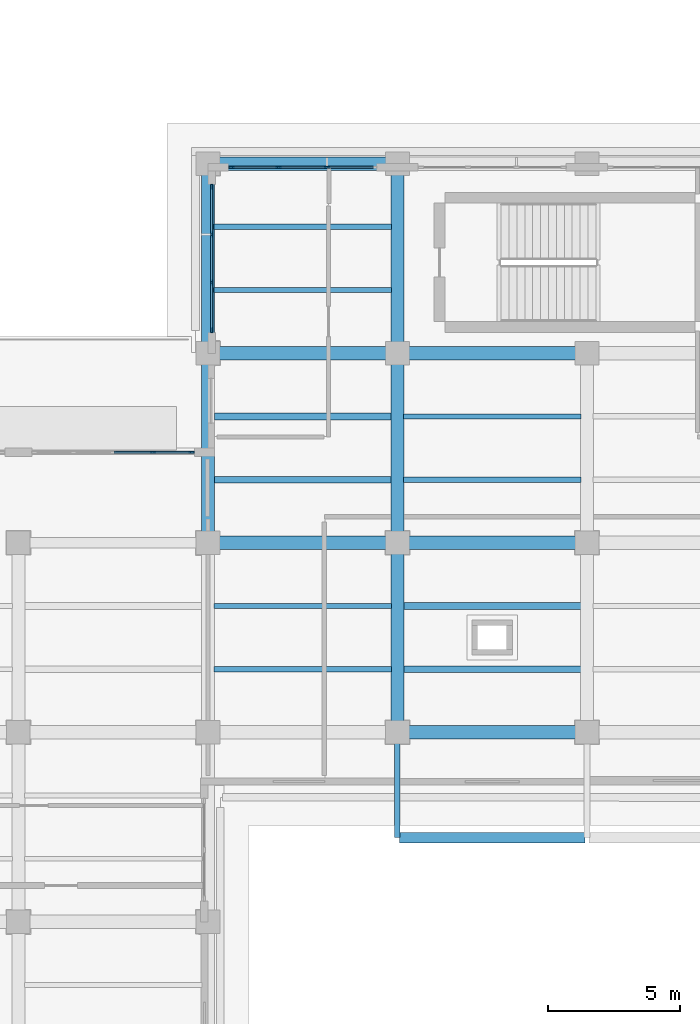
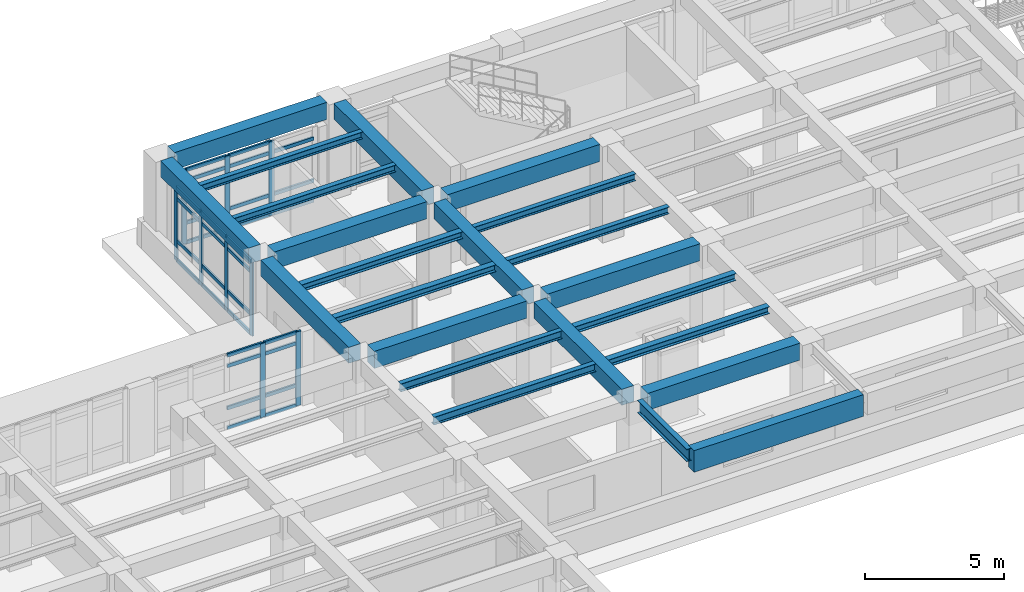
# One storey, part 16 of 69: 40 members, 23 beams, 3 elements without a shape of their own.
"""IFC4 building model written with IfcOpenShell, lengths in metres."""

import ifcopenshell
import ifcopenshell.guid

model = None  # the IFC model being written
_history = None  # IfcOwnerHistory: only IFC2X3 demands one
_inside = {}  # id of a spatial element -> (the spatial element, [elements in it])
_under = {}  # id of a project, library or spatial element -> (it, [spatial elements below it])
_declared = {}  # id of a project -> (the project, [libraries it declares])
_typed = {}  # id of a type object -> (the type object, [elements of that type])
_made_of = {}  # id of a material, layer set ... -> (it, [elements and type objects made of it])


def new_model(schema):
    """Start an empty IFC model of exactly this schema.

    Asked for "IFC4X3", IfcOpenShell would pick the latest addendum, in which some entities
    have other attributes; the version numbers below select the first issue.
    IFC2X3 requires an IfcOwnerHistory on every rooted entity: one is made here for all.
    """
    global model, _history
    if schema == "IFC4X3":
        model = ifcopenshell.file(schema_version=(4, 3, 0, 0))
    else:
        model = ifcopenshell.file(schema=schema)
    _inside.clear()
    _under.clear()
    _declared.clear()
    _typed.clear()
    _made_of.clear()
    _history = None
    if model.schema == "IFC2X3":
        org = make("IfcOrganization", Name="unknown")
        user = make(
            "IfcPersonAndOrganization",
            ThePerson=make("IfcPerson", FamilyName="unknown"),
            TheOrganization=org,
        )
        app = make(
            "IfcApplication",
            ApplicationDeveloper=org,
            Version="unknown",
            ApplicationFullName="unknown",
            ApplicationIdentifier="unknown",
        )
        _history = make(
            "IfcOwnerHistory",
            OwningUser=user,
            OwningApplication=app,
            ChangeAction="ADDED",
            CreationDate=0,
        )
    return model


def make(cls, **values):
    """One entity of the class cls with the attributes given. An attribute that is None is left unset."""
    return model.create_entity(
        cls, **{name: value for name, value in values.items() if value is not None}
    )


def rooted(cls, **values):
    """An entity with a GlobalId (a new one), such as an element, a storey or a relation."""
    return make(cls, GlobalId=ifcopenshell.guid.new(), OwnerHistory=_history, **values)


def si_unit(unit_type, name, prefix=None):
    """IfcSIUnit, for example si_unit("LENGTHUNIT", "METRE", prefix="MILLI")."""
    return make("IfcSIUnit", UnitType=unit_type, Prefix=prefix, Name=name)


def assignment(units):
    """IfcUnitAssignment: the units of a project."""
    return None if units is None else make("IfcUnitAssignment", Units=units)


def point(xyz):
    """IfcCartesianPoint."""
    return None if xyz is None else make("IfcCartesianPoint", Coordinates=xyz)


def direction(xyz):
    """IfcDirection."""
    return None if xyz is None else make("IfcDirection", DirectionRatios=xyz)


def frame(location, z_axis=None, x_axis=None):
    """IfcAxis2Placement3D, a coordinate frame: its origin and axes. An axis left out is left unset."""
    return make(
        "IfcAxis2Placement3D",
        Location=point(location),
        Axis=direction(z_axis),
        RefDirection=direction(x_axis),
    )


def frame_2d(location, x_axis=None):
    """IfcAxis2Placement2D, a coordinate frame in the plane: its origin and x axis."""
    return make(
        "IfcAxis2Placement2D", Location=point(location), RefDirection=direction(x_axis)
    )


def origin():
    """The frame at (0, 0, 0) with its axes left unset."""
    return frame((0.0, 0.0, 0.0))


def origin_2d():
    """The frame at (0, 0) in the plane with its x axis left unset."""
    return frame_2d((0.0, 0.0))


def place(relative_to, where):
    """IfcLocalPlacement: puts the frame where relative to a parent placement (None: the world)."""
    return make(
        "IfcLocalPlacement", PlacementRelTo=relative_to, RelativePlacement=where
    )


def context(
    kind, dimensions, precision=None, world=None, true_north=None, identifier=None
):
    """IfcGeometricRepresentationContext, for example the 3D "Model" context."""
    return make(
        "IfcGeometricRepresentationContext",
        ContextIdentifier=identifier,
        ContextType=kind,
        CoordinateSpaceDimension=dimensions,
        Precision=precision,
        WorldCoordinateSystem=world,
        TrueNorth=true_north,
    )


def subcontext(parent, identifier, kind, view, scale=None):
    """IfcGeometricRepresentationSubContext, for example "Body" below "Model"."""
    return make(
        "IfcGeometricRepresentationSubContext",
        ContextIdentifier=identifier,
        ContextType=kind,
        ParentContext=parent,
        TargetScale=scale,
        TargetView=view,
    )


def project(units=None, contexts=None):
    """IfcProject with its units and contexts."""
    return rooted(
        "IfcProject",
        Name="project",
        RepresentationContexts=contexts,
        UnitsInContext=assignment(units),
    )


def spatial(cls, under=None, at=None, **own):
    """A site, building, storey or space (cls), placed at a placement, below another one or the project."""
    s = rooted(cls, ObjectPlacement=at, **own)
    if under is not None:
        _under.setdefault(under.id(), (under, []))[1].append(s)
    return s


def profile(cls, at=None, kind="AREA", **sizes):
    """A parametric profile (cls). Its sizes go by their IFC names, for example OverallWidth=200.0."""
    return make(cls, ProfileType=kind, Position=at, **sizes)


def rectangle(**sizes):
    """IfcRectangleProfileDef."""
    return profile("IfcRectangleProfileDef", **sizes)


def i_section(**sizes):
    """IfcIShapeProfileDef."""
    return profile("IfcIShapeProfileDef", **sizes)


def extrude(swept, where, along, depth):
    """IfcExtrudedAreaSolid: the profile swept, set in the frame where, extruded along a direction by depth."""
    return make(
        "IfcExtrudedAreaSolid",
        SweptArea=swept,
        Position=where,
        ExtrudedDirection=direction(along),
        Depth=depth,
    )


def shape(context_of_items, identifier, shape_type, items):
    """IfcShapeRepresentation: the items that make up one representation, for example the "Body"."""
    return make(
        "IfcShapeRepresentation",
        ContextOfItems=context_of_items,
        RepresentationIdentifier=identifier,
        RepresentationType=shape_type,
        Items=items,
    )


def material(Name=None, Category=None):
    """IfcMaterial."""
    return make("IfcMaterial", Name=Name, Category=Category)


def layer(
    of_material, thickness, ventilated=None, Name=None, Category=None, Priority=None
):
    """IfcMaterialLayer: one layer of a wall or slab, of a material (None: an air gap)."""
    return make(
        "IfcMaterialLayer",
        Material=of_material,
        LayerThickness=thickness,
        IsVentilated=ventilated,
        Name=Name,
        Category=Category,
        Priority=Priority,
    )


def layer_set(layers, Name=None):
    """IfcMaterialLayerSet."""
    return make("IfcMaterialLayerSet", MaterialLayers=layers, LayerSetName=Name)


def material_profile(
    of_material, cross_section, Name=None, Category=None, Priority=None
):
    """IfcMaterialProfile: a cross section and its material."""
    return make(
        "IfcMaterialProfile",
        Name=Name,
        Material=of_material,
        Profile=cross_section,
        Priority=Priority,
        Category=Category,
    )


def profile_set(profiles, Name=None, composite=None):
    """IfcMaterialProfileSet."""
    return make(
        "IfcMaterialProfileSet",
        Name=Name,
        MaterialProfiles=profiles,
        CompositeProfile=composite,
    )


def made_of(thing, what):
    """Note that an element or type object is made of a material, layer set ...; save() writes the relation."""
    if what is not None:
        _made_of.setdefault(what.id(), (what, []))[1].append(thing)
    return thing


def type_object(cls, material=None, **own):
    """A type object (cls), such as IfcWallType, which elements share."""
    return made_of(rooted(cls, **own), material)


def element(
    cls,
    number,
    at=None,
    inside=None,
    cuts=None,
    type_object=None,
    material=None,
    context=None,
    identifier="Body",
    shape_type=None,
    held_by="IfcProductDefinitionShape",
    body=None,
    shapes=None,
    **own,
):
    """One element of the class cls, such as IfcWall. Its Tag is "e" and its number.

    at: its placement. inside: the storey or other place that contains it. cuts: it is an
    opening in that element (IfcRelVoidsElement). A single representation is given by context,
    identifier, shape_type and body (its items); several are given by shapes. held_by: the class
    of the entity that holds the representations. save() writes the other relations.
    """
    e = rooted(cls, Tag="e%d" % number, ObjectPlacement=at, **own)
    if body is not None:
        shapes = [shape(context, identifier, shape_type, body)]
    if shapes is not None:
        e.Representation = make(held_by, Representations=shapes)
    if inside is not None:
        _inside.setdefault(inside.id(), (inside, []))[1].append(e)
    if cuts is not None:
        rooted(
            "IfcRelVoidsElement", RelatingBuildingElement=cuts, RelatedOpeningElement=e
        )
    if type_object is not None:
        _typed.setdefault(type_object.id(), (type_object, []))[1].append(e)
    return made_of(e, material)


def aggregate(whole, parts):
    """IfcRelAggregates: a whole, such as a stair, and the parts it consists of."""
    return rooted("IfcRelAggregates", RelatingObject=whole, RelatedObjects=parts)


def save(model, path):
    """Write the relations noted so far, then the file.

    IfcRelAggregates (storeys below a building ...), IfcRelContainedInSpatialStructure (elements
    in a storey), IfcRelDefinesByType, IfcRelAssociatesMaterial and IfcRelDeclares: one each for
    every whole, place, type object, material and project.
    """
    for whole, parts in _under.values():
        aggregate(whole, parts)
    for where, things in _inside.values():
        rooted(
            "IfcRelContainedInSpatialStructure",
            RelatedElements=things,
            RelatingStructure=where,
        )
    for kind, things in _typed.values():
        rooted("IfcRelDefinesByType", RelatedObjects=things, RelatingType=kind)
    for what, things in _made_of.values():
        rooted("IfcRelAssociatesMaterial", RelatedObjects=things, RelatingMaterial=what)
    for by, libraries in _declared.values():
        rooted("IfcRelDeclares", RelatingContext=by, RelatedDefinitions=libraries)
    model.write(path)


model = new_model("IFC4")

# Units and contexts
model_context = context("Model", 3, precision=1e-05, world=origin(), true_north=direction((0.0, 1.0)))
body_context = subcontext(model_context, "Body", "Model", "MODEL_VIEW")
ifc_project = project(units=[si_unit("LENGTHUNIT", "METRE"), si_unit("AREAUNIT", "SQUARE_METRE"), si_unit("VOLUMEUNIT", "CUBIC_METRE"), si_unit("PLANEANGLEUNIT", "RADIAN"), si_unit("MASSUNIT", "GRAM", prefix="KILO")], contexts=[model_context])

# Site, building, storey
site_placement = place(None, origin())
site = spatial("IfcSite", under=ifc_project, at=site_placement, CompositionType="ELEMENT")
building_placement = place(site_placement, origin())
building = spatial("IfcBuilding", under=site, at=building_placement, Name="Solenvale Faculty of Natural Sciences", CompositionType="ELEMENT")
storey_placement = place(building_placement, frame((0.0, 0.0, 4.5)))
storey = spatial("IfcBuildingStorey", under=building, at=storey_placement, Name="L01", CompositionType="ELEMENT", Elevation=4.5)

# Beams
ifc_material_1 = material(Name="Concrete 40 MPa", Category="concrete")
ifc_material_profile_1 = material_profile(ifc_material_1, rectangle(XDim=0.5, YDim=0.699951171875, at=origin_2d()), Name="RC-BM-500x700")
ifc_profile_set_1 = profile_set([ifc_material_profile_1], Name="Concrete 40 MPa")
beam_type_1 = type_object("IfcBeamType", Name="BM-RC-500x700", PredefinedType="BEAM", material=ifc_profile_set_1)
beam_1_placement = place(storey_placement, frame((115.199951171875, 43.6298828125, 3.8701171875), z_axis=(0.0, 1.0, 0.0), x_axis=(-1.0, 0.0, 0.0)))
element("IfcBeam", 1, at=beam_1_placement, inside=storey, type_object=beam_type_1, Name="L01 Y-Girder X115.2 (43.2..50.4)", PredefinedType="BEAM", context=body_context, shape_type="SweptSolid", body=[
    extrude(rectangle(XDim=0.5, YDim=0.699951171875, at=origin_2d()), origin(), (0.0, 0.0, 1.0), 6.340087890625),
])
beam_2_placement = place(storey_placement, frame((115.199951171875, 50.830078125, 3.8701171875), z_axis=(0.0, 1.0, 0.0), x_axis=(-1.0, 0.0, 0.0)))
element("IfcBeam", 2, at=beam_2_placement, inside=storey, type_object=beam_type_1, Name="L01 Y-Girder X115.2 (50.4..57.6)", PredefinedType="BEAM", context=body_context, shape_type="SweptSolid", body=[
    extrude(rectangle(XDim=0.5, YDim=0.699951171875, at=origin_2d()), origin(), (0.0, 0.0, 1.0), 6.33984375),
])
for number, where, z_axis, x_axis, name in (
    (3, (122.39990234375, 36.429931640625, 3.8701171875), (0.0, 1.0, 0.0), (-1.0, 0.0, 0.0), "L01 Y-Girder X122.4 (36.0..43.2)"),
    (4, (122.39990234375, 43.6298828125, 3.8701171875), (0.0, 1.0, 0.0), (-1.0, 0.0, 0.0), "L01 Y-Girder X122.4 (43.2..50.4)"),
):
    element("IfcBeam", number, at=place(storey_placement, frame(where, z_axis=z_axis, x_axis=x_axis)), inside=storey, type_object=beam_type_1, Name=name, PredefinedType="BEAM", context=body_context, shape_type="SweptSolid", body=[
        extrude(rectangle(XDim=0.5, YDim=0.699951171875, at=origin_2d()), origin(), (0.0, 0.0, 1.0), 6.340087890625),
    ])
beam_3_placement = place(storey_placement, frame((122.39990234375, 50.830078125, 3.8701171875), z_axis=(0.0, 1.0, 0.0), x_axis=(-1.0, 0.0, 0.0)))
element("IfcBeam", 5, at=beam_3_placement, inside=storey, type_object=beam_type_1, Name="L01 Y-Girder X122.4 (50.4..57.6)", PredefinedType="BEAM", context=body_context, shape_type="SweptSolid", body=[
    extrude(rectangle(XDim=0.5, YDim=0.699951171875, at=origin_2d()), origin(), (0.0, 0.0, 1.0), 6.33984375),
])
ifc_material_profile_2 = material_profile(ifc_material_1, rectangle(XDim=0.5, YDim=0.75, at=origin_2d()), Name="RC-BM-500x750")
ifc_profile_set_2 = profile_set([ifc_material_profile_2], Name="Concrete 40 MPa")
beam_type_2 = type_object("IfcBeamType", Name="BM-RC-500x750", PredefinedType="BEAM", material=ifc_profile_set_2)
beam_4_placement = place(storey_placement, frame((122.830078125, 36.0, 3.844970703125), z_axis=(1.0, 0.0, 0.0), x_axis=(0.0, 1.0, 0.0)))
element("IfcBeam", 6, at=beam_4_placement, inside=storey, type_object=beam_type_2, Name="L01 X-Girder Y36.0 (122.4..129.6)", PredefinedType="BEAM", context=body_context, shape_type="SweptSolid", body=[
    extrude(rectangle(XDim=0.5, YDim=0.75, at=origin_2d()), origin(), (0.0, 0.0, 1.0), 6.33984375),
])
beam_5_placement = place(storey_placement, frame((115.6298828125, 43.199951171875, 3.844970703125), z_axis=(1.0, 0.0, 0.0), x_axis=(0.0, 1.0, 0.0)))
element("IfcBeam", 7, at=beam_5_placement, inside=storey, type_object=beam_type_2, Name="L01 X-Girder Y43.2 (115.2..122.4)", PredefinedType="BEAM", context=body_context, shape_type="SweptSolid", body=[
    extrude(rectangle(XDim=0.5, YDim=0.75, at=origin_2d()), origin(), (0.0, 0.0, 1.0), 6.340087890625),
])
beam_6_placement = place(storey_placement, frame((122.830078125, 43.199951171875, 3.844970703125), z_axis=(1.0, 0.0, 0.0), x_axis=(0.0, 1.0, 0.0)))
element("IfcBeam", 8, at=beam_6_placement, inside=storey, type_object=beam_type_2, Name="L01 X-Girder Y43.2 (122.4..129.6)", PredefinedType="BEAM", context=body_context, shape_type="SweptSolid", body=[
    extrude(rectangle(XDim=0.5, YDim=0.75, at=origin_2d()), origin(), (0.0, 0.0, 1.0), 6.33984375),
])
beam_7_placement = place(storey_placement, frame((115.6298828125, 50.39990234375, 3.844970703125), z_axis=(1.0, 0.0, 0.0), x_axis=(0.0, 1.0, 0.0)))
element("IfcBeam", 9, at=beam_7_placement, inside=storey, type_object=beam_type_2, Name="L01 X-Girder Y50.4 (115.2..122.4)", PredefinedType="BEAM", context=body_context, shape_type="SweptSolid", body=[
    extrude(rectangle(XDim=0.5, YDim=0.75, at=origin_2d()), origin(), (0.0, 0.0, 1.0), 6.340087890625),
])
beam_8_placement = place(storey_placement, frame((122.830078125, 50.39990234375, 3.844970703125), z_axis=(1.0, 0.0, 0.0), x_axis=(0.0, 1.0, 0.0)))
element("IfcBeam", 10, at=beam_8_placement, inside=storey, type_object=beam_type_2, Name="L01 X-Girder Y50.4 (122.4..129.6)", PredefinedType="BEAM", context=body_context, shape_type="SweptSolid", body=[
    extrude(rectangle(XDim=0.5, YDim=0.75, at=origin_2d()), origin(), (0.0, 0.0, 1.0), 6.33984375),
])
beam_9_placement = place(storey_placement, frame((115.6298828125, 57.60009765625, 3.844970703125), z_axis=(1.0, 0.0, 0.0), x_axis=(0.0, 1.0, 0.0)))
element("IfcBeam", 11, at=beam_9_placement, inside=storey, type_object=beam_type_2, Name="L01 X-Girder Y57.6 (115.2..122.4)", PredefinedType="BEAM", context=body_context, shape_type="SweptSolid", body=[
    extrude(rectangle(XDim=0.5, YDim=0.75, at=origin_2d()), origin(), (0.0, 0.0, 1.0), 6.340087890625),
])
ifc_material_2 = material(Name="Architectural bronze concrete 40 MPa", Category="concrete")
ifc_material_profile_3 = material_profile(ifc_material_2, rectangle(XDim=0.39990234375, YDim=0.949951171875, at=origin_2d()), Name="RC-SPN-400x950")
ifc_profile_set_3 = profile_set([ifc_material_profile_3], Name="Architectural bronze concrete 40 MPa")
beam_type_3 = type_object("IfcBeamType", Name="BM-SPN-BRZ-950", PredefinedType="SPANDREL", material=ifc_profile_set_3)
beam_10_placement = place(storey_placement, frame((122.47998046875, 32.0, 3.7451171875), z_axis=(1.0, 0.0, 0.0), x_axis=(0.0, 1.0, 0.0)))
element("IfcBeam", 12, at=beam_10_placement, inside=storey, type_object=beam_type_3, Name="L02 Commons Sliding-Tray South Bronze Fascia 1", PredefinedType="SPANDREL", context=body_context, shape_type="SweptSolid", body=[
    extrude(rectangle(XDim=0.39990234375, YDim=0.949951171875, at=origin_2d()), origin(), (0.0, 0.0, 1.0), 7.0400390625),
])
ifc_material_3 = material(Name="Steel S355", Category="steel")
ifc_material_profile_4 = material_profile(ifc_material_3, i_section(OverallWidth=0.202880859375, OverallDepth=0.302978515625, WebThickness=0.007568359375, FlangeThickness=0.01318359375, FilletRadius=0.014892578125, at=origin_2d()), Name="W310x60")
ifc_profile_set_4 = profile_set([ifc_material_profile_4], Name="Steel S355")
beam_type_4 = type_object("IfcBeamType", Name="BM-STL-W310x60", PredefinedType="JOIST", material=ifc_profile_set_4)
for number, where, z_axis, x_axis, name in (
    (13, (115.429931640625, 52.800048828125, 4.068603515625), (1.0, 0.0, 0.0), (0.0, 1.0, 0.0), "L01 Composite Floor Joist (17,8).1"),
    (14, (115.429931640625, 55.199951171875, 4.068603515625), (1.0, 0.0, 0.0), (0.0, 1.0, 0.0), "L01 Composite Floor Joist (17,8).2"),
):
    element("IfcBeam", number, at=place(storey_placement, frame(where, z_axis=z_axis, x_axis=x_axis)), inside=storey, type_object=beam_type_4, Name=name, PredefinedType="JOIST", context=body_context, shape_type="SweptSolid", body=[
        extrude(i_section(OverallWidth=0.202880859375, OverallDepth=0.302978515625, WebThickness=0.007568359375, FlangeThickness=0.01318359375, FilletRadius=0.014892578125, at=origin_2d()), origin(), (0.0, 0.0, 1.0), 6.739990234375),
    ])
for number, where, z_axis, x_axis, name in (
    (15, (122.6298828125, 45.60009765625, 4.068603515625), (1.0, 0.0, 0.0), (0.0, 1.0, 0.0), "L01 Composite Floor Joist (18,7).1"),
    (16, (122.6298828125, 48.0, 4.068603515625), (1.0, 0.0, 0.0), (0.0, 1.0, 0.0), "L01 Composite Floor Joist (18,7).2"),
):
    element("IfcBeam", number, at=place(storey_placement, frame(where, z_axis=z_axis, x_axis=x_axis)), inside=storey, type_object=beam_type_4, Name=name, PredefinedType="JOIST", context=body_context, shape_type="SweptSolid", body=[
        extrude(i_section(OverallWidth=0.202880859375, OverallDepth=0.302978515625, WebThickness=0.007568359375, FlangeThickness=0.01318359375, FilletRadius=0.014892578125, at=origin_2d()), origin(), (0.0, 0.0, 1.0), 6.740234375),
    ])
ifc_material_profile_5 = material_profile(ifc_material_3, i_section(OverallWidth=0.25390625, OverallDepth=0.305908203125, WebThickness=0.0087890625, FlangeThickness=0.0146484375, FilletRadius=0.014892578125, at=origin_2d()), Name="W310x79")
ifc_profile_set_5 = profile_set([ifc_material_profile_5], Name="Steel S355")
beam_type_5 = type_object("IfcBeamType", Name="BM-STL-W310x79", PredefinedType="JOIST", material=ifc_profile_set_5)
for number, where, z_axis, x_axis, name in (
    (17, (115.429931640625, 45.60009765625, 4.06689453125), (1.0, 0.0, 0.0), (0.0, 1.0, 0.0), "L01 Composite Floor Joist (17,7).1"),
    (18, (115.429931640625, 48.0, 4.06689453125), (1.0, 0.0, 0.0), (0.0, 1.0, 0.0), "L01 Composite Floor Joist (17,7).2"),
):
    element("IfcBeam", number, at=place(storey_placement, frame(where, z_axis=z_axis, x_axis=x_axis)), inside=storey, type_object=beam_type_5, Name=name, PredefinedType="JOIST", context=body_context, shape_type="SweptSolid", body=[
        extrude(i_section(OverallWidth=0.25390625, OverallDepth=0.305908203125, WebThickness=0.0087890625, FlangeThickness=0.0146484375, FilletRadius=0.014892578125, at=origin_2d()), origin(), (0.0, 0.0, 1.0), 6.739990234375),
    ])
for number, where, z_axis, x_axis, name in (
    (19, (122.6298828125, 38.39990234375, 4.06689453125), (1.0, 0.0, 0.0), (0.0, 1.0, 0.0), "L01 Composite Floor Joist (18,6).1"),
    (20, (122.6298828125, 40.800048828125, 4.06689453125), (1.0, 0.0, 0.0), (0.0, 1.0, 0.0), "L01 Composite Floor Joist (18,6).2"),
):
    element("IfcBeam", number, at=place(storey_placement, frame(where, z_axis=z_axis, x_axis=x_axis)), inside=storey, type_object=beam_type_5, Name=name, PredefinedType="JOIST", context=body_context, shape_type="SweptSolid", body=[
        extrude(i_section(OverallWidth=0.25390625, OverallDepth=0.305908203125, WebThickness=0.0087890625, FlangeThickness=0.0146484375, FilletRadius=0.014892578125, at=origin_2d()), origin(), (0.0, 0.0, 1.0), 6.740234375),
    ])
ifc_material_profile_6 = material_profile(ifc_material_3, i_section(OverallWidth=0.2041015625, OverallDepth=0.35009765625, WebThickness=0.008544921875, FlangeThickness=0.01513671875, FilletRadius=0.014892578125, at=origin_2d()), Name="W360x72")
ifc_profile_set_6 = profile_set([ifc_material_profile_6], Name="Steel S355")
beam_type_6 = type_object("IfcBeamType", Name="BM-STL-W360x72", PredefinedType="JOIST", material=ifc_profile_set_6)
for number, where, z_axis, x_axis, name in (
    (21, (115.429931640625, 38.39990234375, 4.044921875), (1.0, 0.0, 0.0), (0.0, 1.0, 0.0), "L01 Composite Floor Joist (17,6).1"),
    (22, (115.429931640625, 40.800048828125, 4.044921875), (1.0, 0.0, 0.0), (0.0, 1.0, 0.0), "L01 Composite Floor Joist (17,6).2"),
):
    element("IfcBeam", number, at=place(storey_placement, frame(where, z_axis=z_axis, x_axis=x_axis)), inside=storey, type_object=beam_type_6, Name=name, PredefinedType="JOIST", context=body_context, shape_type="SweptSolid", body=[
        extrude(i_section(OverallWidth=0.2041015625, OverallDepth=0.35009765625, WebThickness=0.008544921875, FlangeThickness=0.01513671875, FilletRadius=0.014892578125, at=origin_2d()), origin(), (0.0, 0.0, 1.0), 6.739990234375),
    ])
ifc_material_profile_7 = material_profile(ifc_material_3, i_section(OverallWidth=0.2119140625, OverallDepth=0.5439453125, WebThickness=0.01318359375, FlangeThickness=0.021240234375, FilletRadius=0.01904296875, at=origin_2d()), Name="W530x123")
ifc_profile_set_7 = profile_set([ifc_material_profile_7], Name="Steel S355")
beam_type_7 = type_object("IfcBeamType", Name="BM-STL-W530x123", PredefinedType="BEAM", material=ifc_profile_set_7)
beam_11_placement = place(storey_placement, frame((122.39990234375, 35.570068359375, 3.947998046875), z_axis=(0.0, -1.0, 0.0), x_axis=(1.0, 0.0, 0.0)))
element("IfcBeam", 23, at=beam_11_placement, inside=storey, type_object=beam_type_7, Name="L01 V2 Cantilever Tray Girder X122.4", PredefinedType="BEAM", context=body_context, shape_type="SweptSolid", body=[
    extrude(i_section(OverallWidth=0.2119140625, OverallDepth=0.5439453125, WebThickness=0.01318359375, FlangeThickness=0.021240234375, FilletRadius=0.01904296875, at=origin_2d()), origin(), (0.0, 0.0, 1.0), 3.570068359375),
])

# Curtain wall, members
ifc_material_4 = material(Name="Anodised bronze aluminium", Category="aluminium")
ifc_layer_1 = layer(ifc_material_4, 0.199951171875)
ifc_layer_set_1 = layer_set([ifc_layer_1], Name="Anodised bronze aluminium")
curtain_wall_type_1 = type_object("IfcCurtainWallType", Name="CW-COM-FIN", PredefinedType="USERDEFINED", material=ifc_layer_set_1)
curtain_wall_1_placement = place(storey_placement, origin())
curtain_wall_1 = element("IfcCurtainWall", 24, at=curtain_wall_1_placement, inside=storey, type_object=curtain_wall_type_1, Name="L01 Curtain Wall CW-L01-P1-E9-B7", ObjectType="UNITISED CURTAIN WALL", PredefinedType="USERDEFINED")
ifc_material_profile_8 = material_profile(ifc_material_4, rectangle(XDim=0.074951171875, YDim=0.2099609375, at=origin_2d()), Name="ALU-MUL-75x210")
ifc_profile_set_8 = profile_set([ifc_material_profile_8], Name="Anodised bronze aluminium")
member_type_1 = type_object("IfcMemberType", Name="CWM-ALU-75x210", PredefinedType="MULLION", material=ifc_profile_set_8)
member_1_placement = place(storey_placement, frame((119.716552734375, 57.45751953125, 0.0), z_axis=(0.0, 0.0, 1.0), x_axis=(0.0, -1.0, 0.0)))
member_1 = element("IfcMember", 25, at=member_1_placement, type_object=member_type_1, Name="CW-03 mullion 2", PredefinedType="MULLION", context=body_context, shape_type="SweptSolid", body=[
    extrude(rectangle(XDim=0.074951171875, YDim=0.2099609375, at=origin_2d()), origin(), (0.0, 0.0, 1.0), 3.260009765625),
])
member_2_placement = place(storey_placement, frame((117.88330078125, 57.45751953125, 0.0), z_axis=(0.0, 0.0, 1.0), x_axis=(0.0, -1.0, 0.0)))
member_2 = element("IfcMember", 26, at=member_2_placement, type_object=member_type_1, Name="CW-03 mullion 3", PredefinedType="MULLION", context=body_context, shape_type="SweptSolid", body=[
    extrude(rectangle(XDim=0.074951171875, YDim=0.2099609375, at=origin_2d()), origin(), (0.0, 0.0, 1.0), 3.260009765625),
])
member_3_placement = place(storey_placement, frame((116.08740234375, 57.45751953125, 0.0), z_axis=(0.0, 0.0, 1.0), x_axis=(0.0, -1.0, 0.0)))
member_3 = element("IfcMember", 27, at=member_3_placement, type_object=member_type_1, Name="CW-03 mullion 4", PredefinedType="MULLION", context=body_context, shape_type="SweptSolid", body=[
    extrude(rectangle(XDim=0.074951171875, YDim=0.2099609375, at=origin_2d()), origin(), (0.0, 0.0, 1.0), 3.260009765625),
])

curtain_wall_2_placement = place(storey_placement, origin())
curtain_wall_2 = element("IfcCurtainWall", 28, at=curtain_wall_2_placement, inside=storey, type_object=curtain_wall_type_1, Name="L01 Curtain Wall CW-L01-P1-E10-B1", ObjectType="UNITISED CURTAIN WALL", PredefinedType="USERDEFINED")
member_4_placement = place(storey_placement, frame((115.342529296875, 56.71240234375, 0.0), z_axis=(0.0, 0.0, 1.0), x_axis=(1.0, 0.0, 0.0)))
member_4 = element("IfcMember", 29, at=member_4_placement, type_object=member_type_1, Name="CW-03 mullion 1", PredefinedType="MULLION", context=body_context, shape_type="SweptSolid", body=[
    extrude(rectangle(XDim=0.074951171875, YDim=0.2099609375, at=origin_2d()), origin(), (0.0, 0.0, 1.0), 3.260009765625),
])
member_5_placement = place(storey_placement, frame((115.342529296875, 54.916748046875, 0.0), z_axis=(0.0, 0.0, 1.0), x_axis=(1.0, 0.0, 0.0)))
member_5 = element("IfcMember", 30, at=member_5_placement, type_object=member_type_1, Name="CW-03 mullion 2", PredefinedType="MULLION", context=body_context, shape_type="SweptSolid", body=[
    extrude(rectangle(XDim=0.074951171875, YDim=0.2099609375, at=origin_2d()), origin(), (0.0, 0.0, 1.0), 3.260009765625),
])
member_6_placement = place(storey_placement, frame((115.342529296875, 53.083251953125, 0.0), z_axis=(0.0, 0.0, 1.0), x_axis=(1.0, 0.0, 0.0)))
member_6 = element("IfcMember", 31, at=member_6_placement, type_object=member_type_1, Name="CW-03 mullion 3", PredefinedType="MULLION", context=body_context, shape_type="SweptSolid", body=[
    extrude(rectangle(XDim=0.074951171875, YDim=0.2099609375, at=origin_2d()), origin(), (0.0, 0.0, 1.0), 3.260009765625),
])
member_7_placement = place(storey_placement, frame((115.342529296875, 51.28759765625, 0.0), z_axis=(0.0, 0.0, 1.0), x_axis=(1.0, 0.0, 0.0)))
member_7 = element("IfcMember", 32, at=member_7_placement, type_object=member_type_1, Name="CW-03 mullion 4", PredefinedType="MULLION", context=body_context, shape_type="SweptSolid", body=[
    extrude(rectangle(XDim=0.074951171875, YDim=0.2099609375, at=origin_2d()), origin(), (0.0, 0.0, 1.0), 3.260009765625),
])

ifc_layer_2 = layer(ifc_material_4, 0.18994140625)
ifc_layer_set_2 = layer_set([ifc_layer_2], Name="Anodised bronze aluminium")
curtain_wall_type_2 = type_object("IfcCurtainWallType", Name="CW-TRAY-REC", PredefinedType="USERDEFINED", material=ifc_layer_set_2)
curtain_wall_3_placement = place(storey_placement, origin())
curtain_wall_3 = element("IfcCurtainWall", 33, at=curtain_wall_3_placement, inside=storey, type_object=curtain_wall_type_2, Name="L01 Curtain Wall CW-L01-P1-E11-B1", ObjectType="UNITISED CURTAIN WALL", PredefinedType="USERDEFINED")
member_8_placement = place(storey_placement, frame((114.58251953125, 46.637451171875, 0.0), z_axis=(0.0, 0.0, 1.0), x_axis=(0.0, -1.0, 0.0)))
member_8 = element("IfcMember", 34, at=member_8_placement, type_object=member_type_1, Name="CW-02 mullion 1", PredefinedType="MULLION", context=body_context, shape_type="SweptSolid", body=[
    extrude(rectangle(XDim=0.074951171875, YDim=0.2099609375, at=origin_2d()), origin(), (0.0, 0.0, 1.0), 3.260009765625),
])
member_9_placement = place(storey_placement, frame((113.110107421875, 46.637451171875, 0.0), z_axis=(0.0, 0.0, 1.0), x_axis=(0.0, -1.0, 0.0)))
member_9 = element("IfcMember", 35, at=member_9_placement, type_object=member_type_1, Name="CW-02 mullion 2", PredefinedType="MULLION", context=body_context, shape_type="SweptSolid", body=[
    extrude(rectangle(XDim=0.074951171875, YDim=0.2099609375, at=origin_2d()), origin(), (0.0, 0.0, 1.0), 3.260009765625),
])

# Member
ifc_material_profile_9 = material_profile(ifc_material_4, rectangle(XDim=0.074951171875, YDim=0.155029296875, at=origin_2d()), Name="ALU-TRN-75x155")
ifc_profile_set_9 = profile_set([ifc_material_profile_9], Name="Anodised bronze aluminium")
member_type_2 = type_object("IfcMemberType", Name="CWT-ALU-75x155", PredefinedType="USERDEFINED", material=ifc_profile_set_9)
member_10_placement = place(storey_placement, frame((121.47509765625, 57.45751953125, 0.03759765625), z_axis=(-1.0, 0.0, 0.0), x_axis=(0.0, -1.0, 0.0)))
member_10 = element("IfcMember", 36, at=member_10_placement, type_object=member_type_2, Name="CW-03 transom 1.1", ObjectType="TRANSOM", PredefinedType="USERDEFINED", context=body_context, shape_type="SweptSolid", body=[
    extrude(rectangle(XDim=0.074951171875, YDim=0.155029296875, at=origin_2d()), origin(), (0.0, 0.0, 1.0), 1.720947265625),
])

member_11_placement = place(storey_placement, frame((121.47509765625, 57.45751953125, 0.89990234375), z_axis=(-1.0, 0.0, 0.0), x_axis=(0.0, -1.0, 0.0)))
member_11 = element("IfcMember", 37, at=member_11_placement, type_object=member_type_2, Name="CW-03 transom 1.2", ObjectType="TRANSOM", PredefinedType="USERDEFINED", context=body_context, shape_type="SweptSolid", body=[
    extrude(rectangle(XDim=0.074951171875, YDim=0.155029296875, at=origin_2d()), origin(), (0.0, 0.0, 1.0), 1.720947265625),
])

member_12_placement = place(storey_placement, frame((121.47509765625, 57.45751953125, 2.760009765625), z_axis=(-1.0, 0.0, 0.0), x_axis=(0.0, -1.0, 0.0)))
member_12 = element("IfcMember", 38, at=member_12_placement, type_object=member_type_2, Name="CW-03 transom 1.3", ObjectType="TRANSOM", PredefinedType="USERDEFINED", context=body_context, shape_type="SweptSolid", body=[
    extrude(rectangle(XDim=0.074951171875, YDim=0.155029296875, at=origin_2d()), origin(), (0.0, 0.0, 1.0), 1.720947265625),
])

member_13_placement = place(storey_placement, frame((119.67919921875, 57.45751953125, 0.03759765625), z_axis=(-1.0, 0.0, 0.0), x_axis=(0.0, -1.0, 0.0)))
member_13 = element("IfcMember", 39, at=member_13_placement, type_object=member_type_2, Name="CW-03 transom 2.1", ObjectType="TRANSOM", PredefinedType="USERDEFINED", context=body_context, shape_type="SweptSolid", body=[
    extrude(rectangle(XDim=0.074951171875, YDim=0.155029296875, at=origin_2d()), origin(), (0.0, 0.0, 1.0), 1.75830078125),
])

member_14_placement = place(storey_placement, frame((119.67919921875, 57.45751953125, 0.89990234375), z_axis=(-1.0, 0.0, 0.0), x_axis=(0.0, -1.0, 0.0)))
member_14 = element("IfcMember", 40, at=member_14_placement, type_object=member_type_2, Name="CW-03 transom 2.2", ObjectType="TRANSOM", PredefinedType="USERDEFINED", context=body_context, shape_type="SweptSolid", body=[
    extrude(rectangle(XDim=0.074951171875, YDim=0.155029296875, at=origin_2d()), origin(), (0.0, 0.0, 1.0), 1.75830078125),
])

member_15_placement = place(storey_placement, frame((119.67919921875, 57.45751953125, 2.760009765625), z_axis=(-1.0, 0.0, 0.0), x_axis=(0.0, -1.0, 0.0)))
member_15 = element("IfcMember", 41, at=member_15_placement, type_object=member_type_2, Name="CW-03 transom 2.3", ObjectType="TRANSOM", PredefinedType="USERDEFINED", context=body_context, shape_type="SweptSolid", body=[
    extrude(rectangle(XDim=0.074951171875, YDim=0.155029296875, at=origin_2d()), origin(), (0.0, 0.0, 1.0), 1.75830078125),
])

member_16_placement = place(storey_placement, frame((119.67919921875, 57.45751953125, 3.222412109375), z_axis=(-1.0, 0.0, 0.0), x_axis=(0.0, -1.0, 0.0)))
member_16 = element("IfcMember", 42, at=member_16_placement, type_object=member_type_2, Name="CW-03 transom 2.4", ObjectType="TRANSOM", PredefinedType="USERDEFINED", context=body_context, shape_type="SweptSolid", body=[
    extrude(rectangle(XDim=0.074951171875, YDim=0.155029296875, at=origin_2d()), origin(), (0.0, 0.0, 1.0), 1.75830078125),
])

member_17_placement = place(storey_placement, frame((117.845947265625, 57.45751953125, 0.03759765625), z_axis=(-1.0, 0.0, 0.0), x_axis=(0.0, -1.0, 0.0)))
member_17 = element("IfcMember", 43, at=member_17_placement, type_object=member_type_2, Name="CW-03 transom 3.1", ObjectType="TRANSOM", PredefinedType="USERDEFINED", context=body_context, shape_type="SweptSolid", body=[
    extrude(rectangle(XDim=0.074951171875, YDim=0.155029296875, at=origin_2d()), origin(), (0.0, 0.0, 1.0), 1.720947265625),
])

member_18_placement = place(storey_placement, frame((117.845947265625, 57.45751953125, 0.89990234375), z_axis=(-1.0, 0.0, 0.0), x_axis=(0.0, -1.0, 0.0)))
member_18 = element("IfcMember", 44, at=member_18_placement, type_object=member_type_2, Name="CW-03 transom 3.2", ObjectType="TRANSOM", PredefinedType="USERDEFINED", context=body_context, shape_type="SweptSolid", body=[
    extrude(rectangle(XDim=0.074951171875, YDim=0.155029296875, at=origin_2d()), origin(), (0.0, 0.0, 1.0), 1.720947265625),
])

member_19_placement = place(storey_placement, frame((117.845947265625, 57.45751953125, 2.760009765625), z_axis=(-1.0, 0.0, 0.0), x_axis=(0.0, -1.0, 0.0)))
member_19 = element("IfcMember", 45, at=member_19_placement, type_object=member_type_2, Name="CW-03 transom 3.3", ObjectType="TRANSOM", PredefinedType="USERDEFINED", context=body_context, shape_type="SweptSolid", body=[
    extrude(rectangle(XDim=0.074951171875, YDim=0.155029296875, at=origin_2d()), origin(), (0.0, 0.0, 1.0), 1.720947265625),
])

member_20_placement = place(storey_placement, frame((117.845947265625, 57.45751953125, 3.222412109375), z_axis=(-1.0, 0.0, 0.0), x_axis=(0.0, -1.0, 0.0)))
member_20 = element("IfcMember", 46, at=member_20_placement, type_object=member_type_2, Name="CW-03 transom 3.4", ObjectType="TRANSOM", PredefinedType="USERDEFINED", context=body_context, shape_type="SweptSolid", body=[
    extrude(rectangle(XDim=0.074951171875, YDim=0.155029296875, at=origin_2d()), origin(), (0.0, 0.0, 1.0), 1.720947265625),
])

aggregate(curtain_wall_1, [member_1, member_2, member_3, member_10, member_11, member_12, member_13, member_14, member_15, member_16, member_17, member_18, member_19, member_20])

member_21_placement = place(storey_placement, frame((115.342529296875, 56.675048828125, 0.03759765625), z_axis=(0.0, -1.0, 0.0), x_axis=(1.0, 0.0, 0.0)))
member_21 = element("IfcMember", 47, at=member_21_placement, type_object=member_type_2, Name="CW-03 transom 1.1", ObjectType="TRANSOM", PredefinedType="USERDEFINED", context=body_context, shape_type="SweptSolid", body=[
    extrude(rectangle(XDim=0.074951171875, YDim=0.155029296875, at=origin_2d()), origin(), (0.0, 0.0, 1.0), 1.720947265625),
])

member_22_placement = place(storey_placement, frame((115.342529296875, 56.675048828125, 0.89990234375), z_axis=(0.0, -1.0, 0.0), x_axis=(1.0, 0.0, 0.0)))
member_22 = element("IfcMember", 48, at=member_22_placement, type_object=member_type_2, Name="CW-03 transom 1.2", ObjectType="TRANSOM", PredefinedType="USERDEFINED", context=body_context, shape_type="SweptSolid", body=[
    extrude(rectangle(XDim=0.074951171875, YDim=0.155029296875, at=origin_2d()), origin(), (0.0, 0.0, 1.0), 1.720947265625),
])

member_23_placement = place(storey_placement, frame((115.342529296875, 56.675048828125, 2.760009765625), z_axis=(0.0, -1.0, 0.0), x_axis=(1.0, 0.0, 0.0)))
member_23 = element("IfcMember", 49, at=member_23_placement, type_object=member_type_2, Name="CW-03 transom 1.3", ObjectType="TRANSOM", PredefinedType="USERDEFINED", context=body_context, shape_type="SweptSolid", body=[
    extrude(rectangle(XDim=0.074951171875, YDim=0.155029296875, at=origin_2d()), origin(), (0.0, 0.0, 1.0), 1.720947265625),
])

member_24_placement = place(storey_placement, frame((115.342529296875, 56.675048828125, 3.222412109375), z_axis=(0.0, -1.0, 0.0), x_axis=(1.0, 0.0, 0.0)))
member_24 = element("IfcMember", 50, at=member_24_placement, type_object=member_type_2, Name="CW-03 transom 1.4", ObjectType="TRANSOM", PredefinedType="USERDEFINED", context=body_context, shape_type="SweptSolid", body=[
    extrude(rectangle(XDim=0.074951171875, YDim=0.155029296875, at=origin_2d()), origin(), (0.0, 0.0, 1.0), 1.720947265625),
])

member_25_placement = place(storey_placement, frame((115.342529296875, 54.879150390625, 0.03759765625), z_axis=(0.0, -1.0, 0.0), x_axis=(1.0, 0.0, 0.0)))
member_25 = element("IfcMember", 51, at=member_25_placement, type_object=member_type_2, Name="CW-03 transom 2.1", ObjectType="TRANSOM", PredefinedType="USERDEFINED", context=body_context, shape_type="SweptSolid", body=[
    extrude(rectangle(XDim=0.074951171875, YDim=0.155029296875, at=origin_2d()), origin(), (0.0, 0.0, 1.0), 1.75830078125),
])

member_26_placement = place(storey_placement, frame((115.342529296875, 54.879150390625, 0.89990234375), z_axis=(0.0, -1.0, 0.0), x_axis=(1.0, 0.0, 0.0)))
member_26 = element("IfcMember", 52, at=member_26_placement, type_object=member_type_2, Name="CW-03 transom 2.2", ObjectType="TRANSOM", PredefinedType="USERDEFINED", context=body_context, shape_type="SweptSolid", body=[
    extrude(rectangle(XDim=0.074951171875, YDim=0.155029296875, at=origin_2d()), origin(), (0.0, 0.0, 1.0), 1.75830078125),
])

member_27_placement = place(storey_placement, frame((115.342529296875, 54.879150390625, 2.760009765625), z_axis=(0.0, -1.0, 0.0), x_axis=(1.0, 0.0, 0.0)))
member_27 = element("IfcMember", 53, at=member_27_placement, type_object=member_type_2, Name="CW-03 transom 2.3", ObjectType="TRANSOM", PredefinedType="USERDEFINED", context=body_context, shape_type="SweptSolid", body=[
    extrude(rectangle(XDim=0.074951171875, YDim=0.155029296875, at=origin_2d()), origin(), (0.0, 0.0, 1.0), 1.75830078125),
])

member_28_placement = place(storey_placement, frame((115.342529296875, 54.879150390625, 3.222412109375), z_axis=(0.0, -1.0, 0.0), x_axis=(1.0, 0.0, 0.0)))
member_28 = element("IfcMember", 54, at=member_28_placement, type_object=member_type_2, Name="CW-03 transom 2.4", ObjectType="TRANSOM", PredefinedType="USERDEFINED", context=body_context, shape_type="SweptSolid", body=[
    extrude(rectangle(XDim=0.074951171875, YDim=0.155029296875, at=origin_2d()), origin(), (0.0, 0.0, 1.0), 1.75830078125),
])

member_29_placement = place(storey_placement, frame((115.342529296875, 53.0458984375, 0.03759765625), z_axis=(0.0, -1.0, 0.0), x_axis=(1.0, 0.0, 0.0)))
member_29 = element("IfcMember", 55, at=member_29_placement, type_object=member_type_2, Name="CW-03 transom 3.1", ObjectType="TRANSOM", PredefinedType="USERDEFINED", context=body_context, shape_type="SweptSolid", body=[
    extrude(rectangle(XDim=0.074951171875, YDim=0.155029296875, at=origin_2d()), origin(), (0.0, 0.0, 1.0), 1.720947265625),
])

member_30_placement = place(storey_placement, frame((115.342529296875, 53.0458984375, 0.89990234375), z_axis=(0.0, -1.0, 0.0), x_axis=(1.0, 0.0, 0.0)))
member_30 = element("IfcMember", 56, at=member_30_placement, type_object=member_type_2, Name="CW-03 transom 3.2", ObjectType="TRANSOM", PredefinedType="USERDEFINED", context=body_context, shape_type="SweptSolid", body=[
    extrude(rectangle(XDim=0.074951171875, YDim=0.155029296875, at=origin_2d()), origin(), (0.0, 0.0, 1.0), 1.720947265625),
])

member_31_placement = place(storey_placement, frame((115.342529296875, 53.0458984375, 2.760009765625), z_axis=(0.0, -1.0, 0.0), x_axis=(1.0, 0.0, 0.0)))
member_31 = element("IfcMember", 57, at=member_31_placement, type_object=member_type_2, Name="CW-03 transom 3.3", ObjectType="TRANSOM", PredefinedType="USERDEFINED", context=body_context, shape_type="SweptSolid", body=[
    extrude(rectangle(XDim=0.074951171875, YDim=0.155029296875, at=origin_2d()), origin(), (0.0, 0.0, 1.0), 1.720947265625),
])

member_32_placement = place(storey_placement, frame((115.342529296875, 53.0458984375, 3.222412109375), z_axis=(0.0, -1.0, 0.0), x_axis=(1.0, 0.0, 0.0)))
member_32 = element("IfcMember", 58, at=member_32_placement, type_object=member_type_2, Name="CW-03 transom 3.4", ObjectType="TRANSOM", PredefinedType="USERDEFINED", context=body_context, shape_type="SweptSolid", body=[
    extrude(rectangle(XDim=0.074951171875, YDim=0.155029296875, at=origin_2d()), origin(), (0.0, 0.0, 1.0), 1.720947265625),
])

aggregate(curtain_wall_2, [member_4, member_5, member_6, member_7, member_21, member_22, member_23, member_24, member_25, member_26, member_27, member_28, member_29, member_30, member_31, member_32])

member_33_placement = place(storey_placement, frame((114.544921875, 46.637451171875, 0.03759765625), z_axis=(-1.0, 0.0, 0.0), x_axis=(0.0, -1.0, 0.0)))
member_33 = element("IfcMember", 59, at=member_33_placement, type_object=member_type_2, Name="CW-02 transom 1.1", ObjectType="TRANSOM", PredefinedType="USERDEFINED", context=body_context, shape_type="SweptSolid", body=[
    extrude(rectangle(XDim=0.074951171875, YDim=0.155029296875, at=origin_2d()), origin(), (0.0, 0.0, 1.0), 1.3974609375),
])

member_34_placement = place(storey_placement, frame((114.544921875, 46.637451171875, 0.89990234375), z_axis=(-1.0, 0.0, 0.0), x_axis=(0.0, -1.0, 0.0)))
member_34 = element("IfcMember", 60, at=member_34_placement, type_object=member_type_2, Name="CW-02 transom 1.2", ObjectType="TRANSOM", PredefinedType="USERDEFINED", context=body_context, shape_type="SweptSolid", body=[
    extrude(rectangle(XDim=0.074951171875, YDim=0.155029296875, at=origin_2d()), origin(), (0.0, 0.0, 1.0), 1.3974609375),
])

member_35_placement = place(storey_placement, frame((114.544921875, 46.637451171875, 2.760009765625), z_axis=(-1.0, 0.0, 0.0), x_axis=(0.0, -1.0, 0.0)))
member_35 = element("IfcMember", 61, at=member_35_placement, type_object=member_type_2, Name="CW-02 transom 1.3", ObjectType="TRANSOM", PredefinedType="USERDEFINED", context=body_context, shape_type="SweptSolid", body=[
    extrude(rectangle(XDim=0.074951171875, YDim=0.155029296875, at=origin_2d()), origin(), (0.0, 0.0, 1.0), 1.3974609375),
])

member_36_placement = place(storey_placement, frame((114.544921875, 46.637451171875, 3.222412109375), z_axis=(-1.0, 0.0, 0.0), x_axis=(0.0, -1.0, 0.0)))
member_36 = element("IfcMember", 62, at=member_36_placement, type_object=member_type_2, Name="CW-02 transom 1.4", ObjectType="TRANSOM", PredefinedType="USERDEFINED", context=body_context, shape_type="SweptSolid", body=[
    extrude(rectangle(XDim=0.074951171875, YDim=0.155029296875, at=origin_2d()), origin(), (0.0, 0.0, 1.0), 1.3974609375),
])

member_37_placement = place(storey_placement, frame((113.072509765625, 46.637451171875, 0.03759765625), z_axis=(-1.0, 0.0, 0.0), x_axis=(0.0, -1.0, 0.0)))
member_37 = element("IfcMember", 63, at=member_37_placement, type_object=member_type_2, Name="CW-02 transom 2.1", ObjectType="TRANSOM", PredefinedType="USERDEFINED", context=body_context, shape_type="SweptSolid", body=[
    extrude(rectangle(XDim=0.074951171875, YDim=0.155029296875, at=origin_2d()), origin(), (0.0, 0.0, 1.0), 1.43505859375),
])

member_38_placement = place(storey_placement, frame((113.072509765625, 46.637451171875, 0.89990234375), z_axis=(-1.0, 0.0, 0.0), x_axis=(0.0, -1.0, 0.0)))
member_38 = element("IfcMember", 64, at=member_38_placement, type_object=member_type_2, Name="CW-02 transom 2.2", ObjectType="TRANSOM", PredefinedType="USERDEFINED", context=body_context, shape_type="SweptSolid", body=[
    extrude(rectangle(XDim=0.074951171875, YDim=0.155029296875, at=origin_2d()), origin(), (0.0, 0.0, 1.0), 1.43505859375),
])

member_39_placement = place(storey_placement, frame((113.072509765625, 46.637451171875, 2.760009765625), z_axis=(-1.0, 0.0, 0.0), x_axis=(0.0, -1.0, 0.0)))
member_39 = element("IfcMember", 65, at=member_39_placement, type_object=member_type_2, Name="CW-02 transom 2.3", ObjectType="TRANSOM", PredefinedType="USERDEFINED", context=body_context, shape_type="SweptSolid", body=[
    extrude(rectangle(XDim=0.074951171875, YDim=0.155029296875, at=origin_2d()), origin(), (0.0, 0.0, 1.0), 1.43505859375),
])

member_40_placement = place(storey_placement, frame((113.072509765625, 46.637451171875, 3.222412109375), z_axis=(-1.0, 0.0, 0.0), x_axis=(0.0, -1.0, 0.0)))
member_40 = element("IfcMember", 66, at=member_40_placement, type_object=member_type_2, Name="CW-02 transom 2.4", ObjectType="TRANSOM", PredefinedType="USERDEFINED", context=body_context, shape_type="SweptSolid", body=[
    extrude(rectangle(XDim=0.074951171875, YDim=0.155029296875, at=origin_2d()), origin(), (0.0, 0.0, 1.0), 1.43505859375),
])

aggregate(curtain_wall_3, [member_8, member_9, member_33, member_34, member_35, member_36, member_37, member_38, member_39, member_40])

save(model, "model.ifc")
